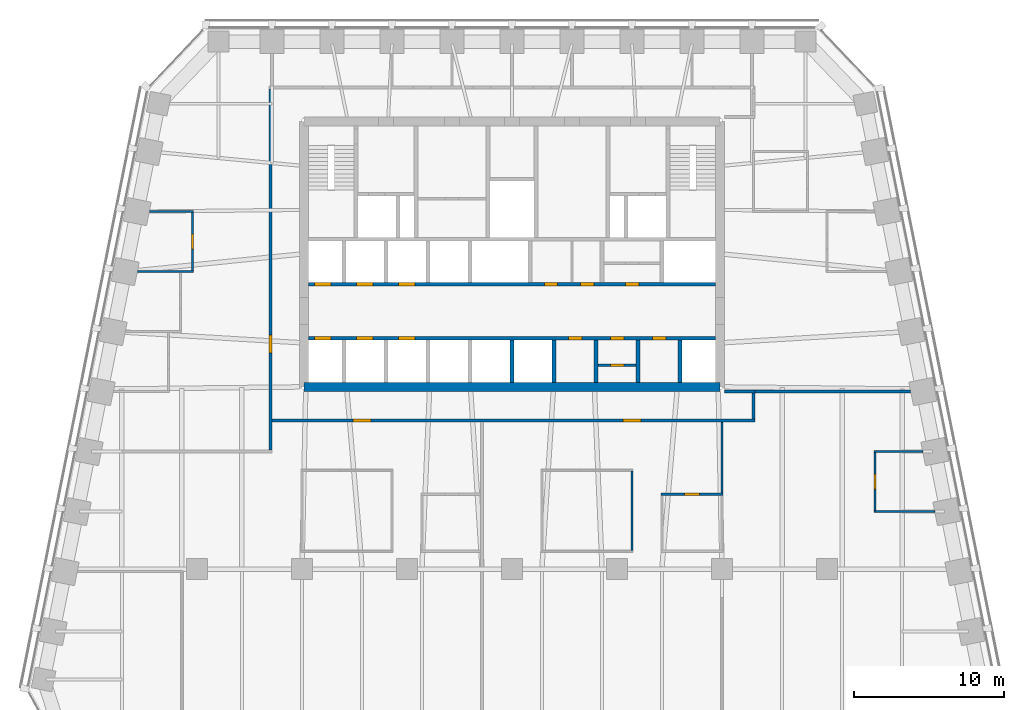
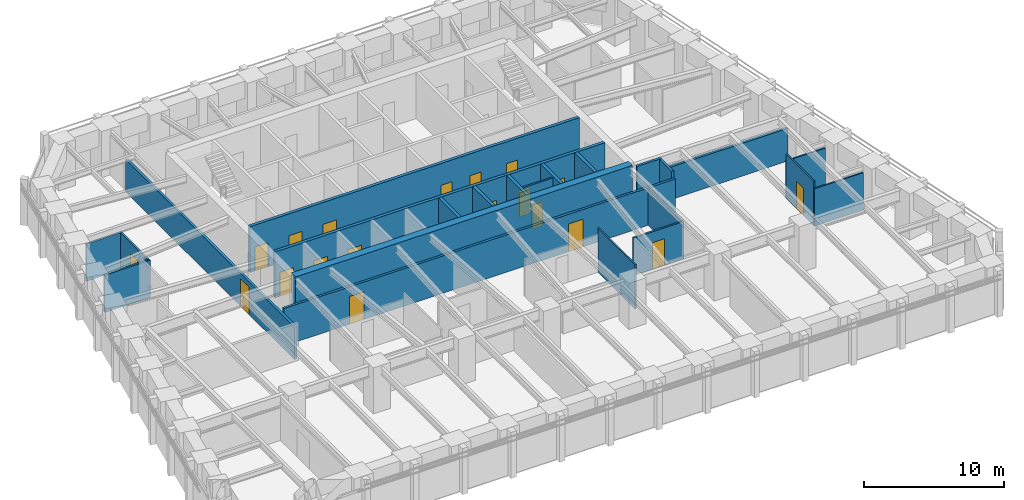
# One storey, part 6 of 10: 23 walls, 19 doors, 19 openings.
"""IFC4 building model written with IfcOpenShell, lengths in metres."""

from ifc_helpers import new_model, si_unit, direction, frame, frame_2d, origin, place, context, subcontext, project, spatial, rectangle, extrude, material, layer, layer_set, type_object, element, fill, save


model = new_model("IFC4")

# Units and contexts
model_context = context("Model", 3, precision=1e-05, world=origin(), true_north=direction((0.0, 1.0)))
body_context = subcontext(model_context, "Body", "Model", "MODEL_VIEW")
ifc_project = project(units=[si_unit("LENGTHUNIT", "METRE"), si_unit("AREAUNIT", "SQUARE_METRE"), si_unit("VOLUMEUNIT", "CUBIC_METRE"), si_unit("PLANEANGLEUNIT", "RADIAN"), si_unit("MASSUNIT", "GRAM", prefix="KILO")], contexts=[model_context])

# Site, building, storey
site_placement = place(None, origin())
site = spatial("IfcSite", under=ifc_project, at=site_placement, CompositionType="ELEMENT")
building_placement = place(site_placement, origin())
building = spatial("IfcBuilding", under=site, at=building_placement, Name="Isbrekke Arena Tower", CompositionType="ELEMENT")
storey_placement = place(building_placement, frame((0.0, 0.0, 226.0)))
storey = spatial("IfcBuildingStorey", under=building, at=storey_placement, Name="L52", CompositionType="ELEMENT", Elevation=226.0)

# Wall
ifc_material_1 = material(Name="Concrete B55 (C55/67)", Category="concrete")
ifc_layer_1 = layer(ifc_material_1, 0.60009765625)
ifc_layer_set_1 = layer_set([ifc_layer_1], Name="CW4 CORE WALL 600")
wall_type_1 = type_object("IfcWallType", Name="CW4 CORE WALL 600", PredefinedType="SHEAR", material=ifc_layer_set_1)
wall_1_placement = place(storey_placement, frame((-13.85009765625, 6.14990234375, 0.0), z_axis=(0.0, 0.0, 1.0), x_axis=(1.0, 0.0, 0.0)))
element("IfcWall", 1, at=wall_1_placement, inside=storey, type_object=wall_type_1, Name="Core wall S L52", PredefinedType="SHEAR", context=body_context, shape_type="SweptSolid", body=[
    extrude(rectangle(XDim=27.7001953125, YDim=0.60009765625, at=frame_2d((13.85009765625, 0.0))), origin(), (0.0, 0.0, 1.0), 4.0),
])

# Wall, openings, doors
ifc_material_2 = material(Name="Concrete B45 (C45/55)", Category="concrete")
ifc_layer_2 = layer(ifc_material_2, 0.25)
ifc_layer_set_2 = layer_set([ifc_layer_2], Name="CW6 SHAFT WALL 250")
wall_type_2 = type_object("IfcWallType", Name="CW6 SHAFT WALL 250", PredefinedType="SHEAR", material=ifc_layer_set_2)
wall_2_placement = place(storey_placement, frame((-13.550048828125, 9.39990234375, 0.0), z_axis=(0.0, 0.0, 1.0), x_axis=(1.0, 0.0, 0.0)))
wall_2 = element("IfcWall", 2, at=wall_2_placement, inside=storey, type_object=wall_type_2, Name="Core wall LS L52", PredefinedType="SHEAR", context=body_context, shape_type="SweptSolid", body=[
    extrude(rectangle(XDim=27.10009765625, YDim=0.25, at=frame_2d((13.550048828125, 0.0))), origin(), (0.0, 0.0, 1.0), 4.0),
])
opening_1_placement = place(wall_2_placement, frame((0.39990234375, 0.0, 0.0)))
opening_1 = element("IfcOpeningElement", 3, at=opening_1_placement, cuts=wall_2, Name="Opening LD1", PredefinedType="OPENING", context=body_context, shape_type="SweptSolid", body=[
    extrude(rectangle(XDim=1.10009765625, YDim=2.10009765625, at=frame_2d((0.550048828125, 1.050048828125))), frame((0.0, 0.139892578125, 0.0), z_axis=(0.0, -1.0, 0.0), x_axis=(1.0, 0.0, 0.0)), (0.0, 0.0, 1.0), 0.27978515625),
])
opening_2_placement = place(wall_2_placement, frame((3.199951171875, 0.0, 0.0)))
opening_2 = element("IfcOpeningElement", 4, at=opening_2_placement, cuts=wall_2, Name="Opening LD1", PredefinedType="OPENING", context=body_context, shape_type="SweptSolid", body=[
    extrude(rectangle(XDim=1.10009765625, YDim=2.10009765625, at=frame_2d((0.550048828125, 1.050048828125))), frame((0.0, 0.139892578125, 0.0), z_axis=(0.0, -1.0, 0.0), x_axis=(1.0, 0.0, 0.0)), (0.0, 0.0, 1.0), 0.27978515625),
])
opening_3_placement = place(wall_2_placement, frame((6.0, 0.0, 0.0)))
opening_3 = element("IfcOpeningElement", 5, at=opening_3_placement, cuts=wall_2, Name="Opening LD1", PredefinedType="OPENING", context=body_context, shape_type="SweptSolid", body=[
    extrude(rectangle(XDim=1.10009765625, YDim=2.10009765625, at=frame_2d((0.550048828125, 1.050048828125))), frame((0.0, 0.139892578125, 0.0), z_axis=(0.0, -1.0, 0.0), x_axis=(1.0, 0.0, 0.0)), (0.0, 0.0, 1.0), 0.27978515625),
])
opening_4_placement = place(wall_2_placement, frame((17.300048828125, 0.0, 0.0)))
opening_4 = element("IfcOpeningElement", 6, at=opening_4_placement, cuts=wall_2, Name="Opening D5", PredefinedType="OPENING", context=body_context, shape_type="SweptSolid", body=[
    extrude(rectangle(XDim=0.89990234375, YDim=2.10009765625, at=frame_2d((0.449951171875, 1.050048828125))), frame((0.0, 0.139892578125, 0.0), z_axis=(0.0, -1.0, 0.0), x_axis=(1.0, 0.0, 0.0)), (0.0, 0.0, 1.0), 0.27978515625),
])
opening_5_placement = place(wall_2_placement, frame((20.10009765625, 0.0, 0.0)))
opening_5 = element("IfcOpeningElement", 7, at=opening_5_placement, cuts=wall_2, Name="Opening D5", PredefinedType="OPENING", context=body_context, shape_type="SweptSolid", body=[
    extrude(rectangle(XDim=0.89990234375, YDim=2.10009765625, at=frame_2d((0.449951171875, 1.050048828125))), frame((0.0, 0.139892578125, 0.0), z_axis=(0.0, -1.0, 0.0), x_axis=(1.0, 0.0, 0.0)), (0.0, 0.0, 1.0), 0.27978515625),
])
opening_6_placement = place(wall_2_placement, frame((22.89990234375, 0.0, 0.0)))
opening_6 = element("IfcOpeningElement", 8, at=opening_6_placement, cuts=wall_2, Name="Opening D5", PredefinedType="OPENING", context=body_context, shape_type="SweptSolid", body=[
    extrude(rectangle(XDim=0.89990234375, YDim=2.10009765625, at=frame_2d((0.449951171875, 1.050048828125))), frame((0.0, 0.139892578125, 0.0), z_axis=(0.0, -1.0, 0.0), x_axis=(1.0, 0.0, 0.0)), (0.0, 0.0, 1.0), 0.27978515625),
])
ifc_material_3 = material(Name="Steel fire door", Category="steel")
door_type_1 = type_object("IfcDoorType", Name="D5 SERVICE DOOR 900 x 2100", OperationType="SINGLE_SWING_LEFT", PredefinedType="DOOR", material=ifc_material_3)
door_1_placement = place(opening_4_placement, origin())
door_1 = element("IfcDoor", 9, at=door_1_placement, inside=storey, type_object=door_type_1, Name="D5 tenant store door L52", OperationType="SINGLE_SWING_LEFT", OverallHeight=2.10009765625, OverallWidth=0.89990234375, PredefinedType="DOOR", context=body_context, shape_type="SweptSolid", body=[
    extrude(rectangle(XDim=0.89990234375, YDim=2.10009765625, at=frame_2d((0.449951171875, 1.050048828125))), frame((0.0, 0.124755859375, 0.0), z_axis=(0.0, -1.0, 0.0), x_axis=(1.0, 0.0, 0.0)), (0.0, 0.0, 1.0), 0.24951171875),
])
fill(opening_4, door_1)
door_2_placement = place(opening_5_placement, origin())
door_2 = element("IfcDoor", 10, at=door_2_placement, inside=storey, type_object=door_type_1, Name="D5 pantry door L52", OperationType="SINGLE_SWING_LEFT", OverallHeight=2.10009765625, OverallWidth=0.89990234375, PredefinedType="DOOR", context=body_context, shape_type="SweptSolid", body=[
    extrude(rectangle(XDim=0.89990234375, YDim=2.10009765625, at=frame_2d((0.449951171875, 1.050048828125))), frame((0.0, 0.124755859375, 0.0), z_axis=(0.0, -1.0, 0.0), x_axis=(1.0, 0.0, 0.0)), (0.0, 0.0, 1.0), 0.24951171875),
])
fill(opening_5, door_2)
door_3_placement = place(opening_6_placement, origin())
door_3 = element("IfcDoor", 11, at=door_3_placement, inside=storey, type_object=door_type_1, Name="D5 print room door L52", OperationType="SINGLE_SWING_LEFT", OverallHeight=2.10009765625, OverallWidth=0.89990234375, PredefinedType="DOOR", context=body_context, shape_type="SweptSolid", body=[
    extrude(rectangle(XDim=0.89990234375, YDim=2.10009765625, at=frame_2d((0.449951171875, 1.050048828125))), frame((0.0, 0.124755859375, 0.0), z_axis=(0.0, -1.0, 0.0), x_axis=(1.0, 0.0, 0.0)), (0.0, 0.0, 1.0), 0.24951171875),
])
fill(opening_6, door_3)
ifc_material_4 = material(Name="Stainless steel lift landing door", Category="steel")
door_type_2 = type_object("IfcDoorType", Name="LD1 LIFT LANDING DOOR 1100 x 2100", OperationType="SLIDING_TO_LEFT", PredefinedType="DOOR", material=ifc_material_4)
door_4_placement = place(opening_1_placement, origin())
door_4 = element("IfcDoor", 12, at=door_4_placement, inside=storey, type_object=door_type_2, Name="LD1 lift landing door LC L52", OperationType="SLIDING_TO_LEFT", OverallHeight=2.10009765625, OverallWidth=1.10009765625, PredefinedType="DOOR", context=body_context, shape_type="SweptSolid", body=[
    extrude(rectangle(XDim=1.10009765625, YDim=2.10009765625, at=frame_2d((0.550048828125, 1.050048828125))), frame((0.0, 0.124755859375, 0.0), z_axis=(0.0, -1.0, 0.0), x_axis=(1.0, 0.0, 0.0)), (0.0, 0.0, 1.0), 0.24951171875),
])
fill(opening_1, door_4)
door_5_placement = place(opening_2_placement, origin())
door_5 = element("IfcDoor", 13, at=door_5_placement, inside=storey, type_object=door_type_2, Name="LD1 lift landing door LC L52", OperationType="SLIDING_TO_LEFT", OverallHeight=2.10009765625, OverallWidth=1.10009765625, PredefinedType="DOOR", context=body_context, shape_type="SweptSolid", body=[
    extrude(rectangle(XDim=1.10009765625, YDim=2.10009765625, at=frame_2d((0.550048828125, 1.050048828125))), frame((0.0, 0.124755859375, 0.0), z_axis=(0.0, -1.0, 0.0), x_axis=(1.0, 0.0, 0.0)), (0.0, 0.0, 1.0), 0.24951171875),
])
fill(opening_2, door_5)
door_6_placement = place(opening_3_placement, origin())
door_6 = element("IfcDoor", 14, at=door_6_placement, inside=storey, type_object=door_type_2, Name="LD1 lift landing door LC L52", OperationType="SLIDING_TO_LEFT", OverallHeight=2.10009765625, OverallWidth=1.10009765625, PredefinedType="DOOR", context=body_context, shape_type="SweptSolid", body=[
    extrude(rectangle(XDim=1.10009765625, YDim=2.10009765625, at=frame_2d((0.550048828125, 1.050048828125))), frame((0.0, 0.124755859375, 0.0), z_axis=(0.0, -1.0, 0.0), x_axis=(1.0, 0.0, 0.0)), (0.0, 0.0, 1.0), 0.24951171875),
])
fill(opening_3, door_6)

wall_3_placement = place(storey_placement, frame((-13.550048828125, 13.0, 0.0), z_axis=(0.0, 0.0, 1.0), x_axis=(1.0, 0.0, 0.0)))
wall_3 = element("IfcWall", 15, at=wall_3_placement, inside=storey, type_object=wall_type_2, Name="Core wall LN L52", PredefinedType="SHEAR", context=body_context, shape_type="SweptSolid", body=[
    extrude(rectangle(XDim=27.10009765625, YDim=0.25, at=frame_2d((13.550048828125, 0.0))), origin(), (0.0, 0.0, 1.0), 4.0),
])
opening_7_placement = place(wall_3_placement, frame((0.39990234375, 0.0, 0.0)))
opening_7 = element("IfcOpeningElement", 16, at=opening_7_placement, cuts=wall_3, Name="Opening LD1", PredefinedType="OPENING", context=body_context, shape_type="SweptSolid", body=[
    extrude(rectangle(XDim=1.10009765625, YDim=2.10009765625, at=frame_2d((0.550048828125, 1.050048828125))), frame((0.0, 0.139892578125, 0.0), z_axis=(0.0, -1.0, 0.0), x_axis=(1.0, 0.0, 0.0)), (0.0, 0.0, 1.0), 0.27978515625),
])
opening_8_placement = place(wall_3_placement, frame((3.199951171875, 0.0, 0.0)))
opening_8 = element("IfcOpeningElement", 17, at=opening_8_placement, cuts=wall_3, Name="Opening LD1", PredefinedType="OPENING", context=body_context, shape_type="SweptSolid", body=[
    extrude(rectangle(XDim=1.10009765625, YDim=2.10009765625, at=frame_2d((0.550048828125, 1.050048828125))), frame((0.0, 0.139892578125, 0.0), z_axis=(0.0, -1.0, 0.0), x_axis=(1.0, 0.0, 0.0)), (0.0, 0.0, 1.0), 0.27978515625),
])
opening_9_placement = place(wall_3_placement, frame((6.0, 0.0, 0.0)))
opening_9 = element("IfcOpeningElement", 18, at=opening_9_placement, cuts=wall_3, Name="Opening LD1", PredefinedType="OPENING", context=body_context, shape_type="SweptSolid", body=[
    extrude(rectangle(XDim=1.10009765625, YDim=2.10009765625, at=frame_2d((0.550048828125, 1.050048828125))), frame((0.0, 0.139892578125, 0.0), z_axis=(0.0, -1.0, 0.0), x_axis=(1.0, 0.0, 0.0)), (0.0, 0.0, 1.0), 0.27978515625),
])
opening_10_placement = place(wall_3_placement, frame((15.699951171875, 0.0, 0.0)))
opening_10 = element("IfcOpeningElement", 19, at=opening_10_placement, cuts=wall_3, Name="Opening D5", PredefinedType="OPENING", context=body_context, shape_type="SweptSolid", body=[
    extrude(rectangle(XDim=0.89990234375, YDim=2.10009765625, at=frame_2d((0.449951171875, 1.050048828125))), frame((0.0, 0.139892578125, 0.0), z_axis=(0.0, -1.0, 0.0), x_axis=(1.0, 0.0, 0.0)), (0.0, 0.0, 1.0), 0.27978515625),
])
opening_11_placement = place(wall_3_placement, frame((18.10009765625, 0.0, 0.0)))
opening_11 = element("IfcOpeningElement", 20, at=opening_11_placement, cuts=wall_3, Name="Opening D5", PredefinedType="OPENING", context=body_context, shape_type="SweptSolid", body=[
    extrude(rectangle(XDim=0.89990234375, YDim=2.10009765625, at=frame_2d((0.449951171875, 1.050048828125))), frame((0.0, 0.139892578125, 0.0), z_axis=(0.0, -1.0, 0.0), x_axis=(1.0, 0.0, 0.0)), (0.0, 0.0, 1.0), 0.27978515625),
])
opening_12_placement = place(wall_3_placement, frame((21.10009765625, 0.0, 0.0)))
opening_12 = element("IfcOpeningElement", 21, at=opening_12_placement, cuts=wall_3, Name="Opening D5", PredefinedType="OPENING", context=body_context, shape_type="SweptSolid", body=[
    extrude(rectangle(XDim=0.89990234375, YDim=2.10009765625, at=frame_2d((0.449951171875, 1.050048828125))), frame((0.0, 0.139892578125, 0.0), z_axis=(0.0, -1.0, 0.0), x_axis=(1.0, 0.0, 0.0)), (0.0, 0.0, 1.0), 0.27978515625),
])
door_7_placement = place(opening_10_placement, origin())
door_7 = element("IfcDoor", 22, at=door_7_placement, inside=storey, type_object=door_type_1, Name="D5 mothers' room door L52", OperationType="SINGLE_SWING_LEFT", OverallHeight=2.10009765625, OverallWidth=0.89990234375, PredefinedType="DOOR", context=body_context, shape_type="SweptSolid", body=[
    extrude(rectangle(XDim=0.89990234375, YDim=2.10009765625, at=frame_2d((0.449951171875, 1.050048828125))), frame((0.0, 0.124755859375, 0.0), z_axis=(0.0, -1.0, 0.0), x_axis=(1.0, 0.0, 0.0)), (0.0, 0.0, 1.0), 0.24951171875),
])
fill(opening_10, door_7)
door_8_placement = place(opening_11_placement, origin())
door_8 = element("IfcDoor", 23, at=door_8_placement, inside=storey, type_object=door_type_1, Name="D5 cleaner's store door L52", OperationType="SINGLE_SWING_LEFT", OverallHeight=2.10009765625, OverallWidth=0.89990234375, PredefinedType="DOOR", context=body_context, shape_type="SweptSolid", body=[
    extrude(rectangle(XDim=0.89990234375, YDim=2.10009765625, at=frame_2d((0.449951171875, 1.050048828125))), frame((0.0, 0.124755859375, 0.0), z_axis=(0.0, -1.0, 0.0), x_axis=(1.0, 0.0, 0.0)), (0.0, 0.0, 1.0), 0.24951171875),
])
fill(opening_11, door_8)
door_9_placement = place(opening_12_placement, origin())
door_9 = element("IfcDoor", 24, at=door_9_placement, inside=storey, type_object=door_type_1, Name="D5 communications room door L52", OperationType="SINGLE_SWING_LEFT", OverallHeight=2.10009765625, OverallWidth=0.89990234375, PredefinedType="DOOR", context=body_context, shape_type="SweptSolid", body=[
    extrude(rectangle(XDim=0.89990234375, YDim=2.10009765625, at=frame_2d((0.449951171875, 1.050048828125))), frame((0.0, 0.124755859375, 0.0), z_axis=(0.0, -1.0, 0.0), x_axis=(1.0, 0.0, 0.0)), (0.0, 0.0, 1.0), 0.24951171875),
])
fill(opening_12, door_9)
door_10_placement = place(opening_7_placement, origin())
door_10 = element("IfcDoor", 25, at=door_10_placement, inside=storey, type_object=door_type_2, Name="LD1 lift landing door LC L52", OperationType="SLIDING_TO_LEFT", OverallHeight=2.10009765625, OverallWidth=1.10009765625, PredefinedType="DOOR", context=body_context, shape_type="SweptSolid", body=[
    extrude(rectangle(XDim=1.10009765625, YDim=2.10009765625, at=frame_2d((0.550048828125, 1.050048828125))), frame((0.0, 0.124755859375, 0.0), z_axis=(0.0, -1.0, 0.0), x_axis=(1.0, 0.0, 0.0)), (0.0, 0.0, 1.0), 0.24951171875),
])
fill(opening_7, door_10)
door_11_placement = place(opening_8_placement, origin())
door_11 = element("IfcDoor", 26, at=door_11_placement, inside=storey, type_object=door_type_2, Name="LD1 lift landing door LC L52", OperationType="SLIDING_TO_LEFT", OverallHeight=2.10009765625, OverallWidth=1.10009765625, PredefinedType="DOOR", context=body_context, shape_type="SweptSolid", body=[
    extrude(rectangle(XDim=1.10009765625, YDim=2.10009765625, at=frame_2d((0.550048828125, 1.050048828125))), frame((0.0, 0.124755859375, 0.0), z_axis=(0.0, -1.0, 0.0), x_axis=(1.0, 0.0, 0.0)), (0.0, 0.0, 1.0), 0.24951171875),
])
fill(opening_8, door_11)
door_12_placement = place(opening_9_placement, origin())
door_12 = element("IfcDoor", 27, at=door_12_placement, inside=storey, type_object=door_type_2, Name="LD1 lift landing door LC L52", OperationType="SLIDING_TO_LEFT", OverallHeight=2.10009765625, OverallWidth=1.10009765625, PredefinedType="DOOR", context=body_context, shape_type="SweptSolid", body=[
    extrude(rectangle(XDim=1.10009765625, YDim=2.10009765625, at=frame_2d((0.550048828125, 1.050048828125))), frame((0.0, 0.124755859375, 0.0), z_axis=(0.0, -1.0, 0.0), x_axis=(1.0, 0.0, 0.0)), (0.0, 0.0, 1.0), 0.24951171875),
])
fill(opening_9, door_12)

# Walls
for number, where, z_axis, x_axis, name in (
    (28, (0.0, 6.449951171875, 0.0), (0.0, 0.0, 1.0), (0.0, 1.0, 0.0), "Core wall SS05 L52"),
    (29, (2.800048828125, 6.449951171875, 0.0), (0.0, 0.0, 1.0), (0.0, 1.0, 0.0), "Core wall SS06 L52"),
    (30, (5.60009765625, 6.449951171875, 0.0), (0.0, 0.0, 1.0), (0.0, 1.0, 0.0), "Core wall SS07 L52"),
    (31, (8.39990234375, 6.449951171875, 0.0), (0.0, 0.0, 1.0), (0.0, 1.0, 0.0), "Core wall SS08 L52"),
    (32, (11.199951171875, 6.449951171875, 0.0), (0.0, 0.0, 1.0), (0.0, 1.0, 0.0), "Core wall SS09 L52"),
):
    element("IfcWall", number, at=place(storey_placement, frame(where, z_axis=z_axis, x_axis=x_axis)), inside=storey, type_object=wall_type_2, Name=name, PredefinedType="SHEAR", context=body_context, shape_type="SweptSolid", body=[
        extrude(rectangle(XDim=2.824951171875, YDim=0.25, at=frame_2d((1.41259765625, 0.0))), origin(), (0.0, 0.0, 1.0), 4.0),
    ])

# Wall, opening, door
ifc_material_5 = material(Name="Gypsum board partition on steel studs", Category="steel")
ifc_layer_3 = layer(ifc_material_5, 0.14990234375)
ifc_layer_set_3 = layer_set([ifc_layer_3], Name="IW1 PARTITION 150")
wall_type_3 = type_object("IfcWallType", Name="IW1 PARTITION 150", PredefinedType="PARTITIONING", material=ifc_layer_set_3)
wall_4_placement = place(storey_placement, frame((9.925048828125, -1.0, 0.0), z_axis=(0.0, 0.0, 1.0), x_axis=(1.0, 0.0, 0.0)))
wall_4 = element("IfcWall", 33, at=wall_4_placement, inside=storey, type_object=wall_type_3, Name="IW1 partition 150 L52", PredefinedType="PARTITIONING", context=body_context, shape_type="SweptSolid", body=[
    extrude(rectangle(XDim=4.14990234375, YDim=0.14990234375, at=frame_2d((2.074951171875, 0.0))), origin(), (0.0, 0.0, 1.0), 3.25),
])
opening_13_placement = place(wall_4_placement, frame((1.574951171875, 0.0, 0.0)))
opening_13 = element("IfcOpeningElement", 34, at=opening_13_placement, cuts=wall_4, Name="Opening D10", PredefinedType="OPENING", context=body_context, shape_type="SweptSolid", body=[
    extrude(rectangle(XDim=1.0, YDim=2.300048828125, at=frame_2d((0.5, 1.14990234375))), frame((0.0, 0.08984375, 0.0), z_axis=(0.0, -1.0, 0.0), x_axis=(1.0, 0.0, 0.0)), (0.0, 0.0, 1.0), 0.1796875),
])
ifc_material_6 = material(Name="Timber door", Category="wood")
door_type_3 = type_object("IfcDoorType", Name="D10 OFFICE DOOR 1000 x 2300", OperationType="SINGLE_SWING_LEFT", PredefinedType="DOOR", material=ifc_material_6)
door_13_placement = place(opening_13_placement, origin())
door_13 = element("IfcDoor", 35, at=door_13_placement, inside=storey, type_object=door_type_3, Name="D10 tea point door L52", OperationType="SINGLE_SWING_LEFT", OverallHeight=2.300048828125, OverallWidth=1.0, PredefinedType="DOOR", context=body_context, shape_type="SweptSolid", body=[
    extrude(rectangle(XDim=1.0, YDim=2.300048828125, at=frame_2d((0.5, 1.14990234375))), frame((0.0, 0.07470703125, 0.0), z_axis=(0.0, -1.0, 0.0), x_axis=(1.0, 0.0, 0.0)), (0.0, 0.0, 1.0), 0.1494140625),
])
fill(opening_13, door_13)

# Walls
wall_5_placement = place(storey_placement, frame((-24.974853515625, 13.840087890625, 0.0), z_axis=(0.0, 0.0, 1.0), x_axis=(1.0, 0.0, 0.0)))
element("IfcWall", 36, at=wall_5_placement, inside=storey, type_object=wall_type_3, Name="IW1 partition 150 L52", PredefinedType="PARTITIONING", context=body_context, shape_type="SweptSolid", body=[
    extrude(rectangle(XDim=3.749755859375, YDim=0.14990234375, at=frame_2d((1.875, 0.0))), origin(), (0.0, 0.0, 1.0), 3.25),
])
wall_6_placement = place(storey_placement, frame((-24.1748046875, 17.840087890625, 0.0), z_axis=(0.0, 0.0, 1.0), x_axis=(1.0, 0.0, 0.0)))
element("IfcWall", 37, at=wall_6_placement, inside=storey, type_object=wall_type_3, Name="IW1 partition 150 L52", PredefinedType="PARTITIONING", context=body_context, shape_type="SweptSolid", body=[
    extrude(rectangle(XDim=2.94970703125, YDim=0.14990234375, at=frame_2d((1.474853515625, 0.0))), origin(), (0.0, 0.0, 1.0), 3.25),
])

# Wall, opening, door
wall_7_placement = place(storey_placement, frame((-21.300048828125, 13.9150390625, 0.0), z_axis=(0.0, 0.0, 1.0), x_axis=(0.0, 1.0, 0.0)))
wall_7 = element("IfcWall", 38, at=wall_7_placement, inside=storey, type_object=wall_type_3, Name="IW1 partition 150 L52", PredefinedType="PARTITIONING", context=body_context, shape_type="SweptSolid", body=[
    extrude(rectangle(XDim=3.849853515625, YDim=0.14990234375, at=frame_2d((1.9248046875, 0.0))), origin(), (0.0, 0.0, 1.0), 3.25),
])
opening_14_placement = place(wall_7_placement, frame((1.425048828125, 0.0, 0.0)))
opening_14 = element("IfcOpeningElement", 39, at=opening_14_placement, cuts=wall_7, Name="Opening D10", PredefinedType="OPENING", context=body_context, shape_type="SweptSolid", body=[
    extrude(rectangle(XDim=1.0, YDim=2.300048828125, at=frame_2d((0.5, 1.14990234375))), frame((0.0, 0.08984375, 0.0), z_axis=(0.0, -1.0, 0.0), x_axis=(1.0, 0.0, 0.0)), (0.0, 0.0, 1.0), 0.1796875),
])
door_14_placement = place(opening_14_placement, origin())
door_14 = element("IfcDoor", 40, at=door_14_placement, inside=storey, type_object=door_type_3, Name="D10 office door L52", OperationType="SINGLE_SWING_LEFT", OverallHeight=2.300048828125, OverallWidth=1.0, PredefinedType="DOOR", context=body_context, shape_type="SweptSolid", body=[
    extrude(rectangle(XDim=1.0, YDim=2.300048828125, at=frame_2d((0.5, 1.14990234375))), frame((0.0, 0.07470703125, 0.0), z_axis=(0.0, -1.0, 0.0), x_axis=(1.0, 0.0, 0.0)), (0.0, 0.0, 1.0), 0.1494140625),
])
fill(opening_14, door_14)

# Walls
ifc_material_7 = material(Name="Frameless glazed partition, laminated acoustic glass", Category="glass")
ifc_layer_4 = layer(ifc_material_7, 0.1201171875)
ifc_layer_set_4 = layer_set([ifc_layer_4], Name="IW2 GLAZED PARTITION 120")
wall_type_4 = type_object("IfcWallType", Name="IW2 GLAZED PARTITION 120", PredefinedType="PARTITIONING", material=ifc_layer_set_4)
wall_8_placement = place(storey_placement, frame((24.139892578125, -2.159912109375, 0.0), z_axis=(0.0, 0.0, 1.0), x_axis=(1.0, 0.0, 0.0)))
element("IfcWall", 41, at=wall_8_placement, inside=storey, type_object=wall_type_4, Name="IW2 glazed partition 120 L52", PredefinedType="PARTITIONING", context=body_context, shape_type="SweptSolid", body=[
    extrude(rectangle(XDim=4.034912109375, YDim=0.1201171875, at=frame_2d((2.017578125, 0.0))), origin(), (0.0, 0.0, 1.0), 3.25),
])
wall_9_placement = place(storey_placement, frame((24.139892578125, 1.840087890625, 0.0), z_axis=(0.0, 0.0, 1.0), x_axis=(1.0, 0.0, 0.0)))
element("IfcWall", 42, at=wall_9_placement, inside=storey, type_object=wall_type_4, Name="IW2 glazed partition 120 L52", PredefinedType="PARTITIONING", context=body_context, shape_type="SweptSolid", body=[
    extrude(rectangle(XDim=3.23486328125, YDim=0.1201171875, at=frame_2d((1.617431640625, 0.0))), origin(), (0.0, 0.0, 1.0), 3.25),
])
wall_10_placement = place(storey_placement, frame((8.0, -4.739990234375, 0.0), z_axis=(0.0, 0.0, 1.0), x_axis=(0.0, 1.0, 0.0)))
element("IfcWall", 43, at=wall_10_placement, inside=storey, type_object=wall_type_4, Name="IW2 glazed partition 120 L52", PredefinedType="PARTITIONING", context=body_context, shape_type="SweptSolid", body=[
    extrude(rectangle(XDim=5.280029296875, YDim=0.1201171875, at=frame_2d((2.64013671875, 0.0))), origin(), (0.0, 0.0, 1.0), 3.85009765625),
])

# Wall, opening, door
wall_11_placement = place(storey_placement, frame((24.199951171875, -2.10009765625, 0.0), z_axis=(0.0, 0.0, 1.0), x_axis=(0.0, 1.0, 0.0)))
wall_11 = element("IfcWall", 44, at=wall_11_placement, inside=storey, type_object=wall_type_4, Name="IW2 glazed partition 120 L52", PredefinedType="PARTITIONING", context=body_context, shape_type="SweptSolid", body=[
    extrude(rectangle(XDim=3.880126953125, YDim=0.1201171875, at=frame_2d((1.93994140625, 0.0))), origin(), (0.0, 0.0, 1.0), 3.85009765625),
])
opening_15_placement = place(wall_11_placement, frame((1.43994140625, 0.0, 0.0)))
opening_15 = element("IfcOpeningElement", 45, at=opening_15_placement, cuts=wall_11, Name="Opening D11", PredefinedType="OPENING", context=body_context, shape_type="SweptSolid", body=[
    extrude(rectangle(XDim=1.0, YDim=2.39990234375, at=frame_2d((0.5, 1.199951171875))), frame((0.0, 0.074951171875, 0.0), z_axis=(0.0, -1.0, 0.0), x_axis=(1.0, 0.0, 0.0)), (0.0, 0.0, 1.0), 0.14990234375),
])
ifc_material_8 = material(Name="Frameless glazed door", Category="glass")
door_type_4 = type_object("IfcDoorType", Name="D11 GLAZED MEETING ROOM DOOR 1000 x 2400", OperationType="SINGLE_SWING_RIGHT", PredefinedType="DOOR", material=ifc_material_8)
door_15_placement = place(opening_15_placement, origin())
door_15 = element("IfcDoor", 46, at=door_15_placement, inside=storey, type_object=door_type_4, Name="D11 meeting room door L52", OperationType="SINGLE_SWING_RIGHT", OverallHeight=2.39990234375, OverallWidth=1.0, PredefinedType="DOOR", context=body_context, shape_type="SweptSolid", body=[
    extrude(rectangle(XDim=1.0, YDim=2.39990234375, at=frame_2d((0.5, 1.199951171875))), frame((0.0, 0.059814453125, 0.0), z_axis=(0.0, -1.0, 0.0), x_axis=(1.0, 0.0, 0.0)), (0.0, 0.0, 1.0), 0.11962890625),
])
fill(opening_15, door_15)

# Wall
wall_12_placement = place(storey_placement, frame((14.0, -0.905029296875, 0.0), z_axis=(0.0, 0.0, 1.0), x_axis=(0.0, 1.0, 0.0)))
element("IfcWall", 47, at=wall_12_placement, inside=storey, type_object=wall_type_4, Name="IW2 glazed partition 120 L52", PredefinedType="PARTITIONING", context=body_context, shape_type="SweptSolid", body=[
    extrude(rectangle(XDim=4.68505859375, YDim=0.1201171875, at=frame_2d((2.342529296875, 0.0))), origin(), (0.0, 0.0, 1.0), 3.25),
])

# Wall, openings, doors
ifc_material_9 = material(Name="Gypsum board fire-cell wall on steel studs, two layers each side", Category="steel")
ifc_layer_5 = layer(ifc_material_9, 0.199951171875)
ifc_layer_set_5 = layer_set([ifc_layer_5], Name="IW3 FIRE-CELL WALL 200")
wall_type_5 = type_object("IfcWallType", Name="IW3 FIRE-CELL WALL 200", PredefinedType="PARTITIONING", material=ifc_layer_set_5)
wall_13_placement = place(storey_placement, frame((-16.0, 3.89990234375, 0.0), z_axis=(0.0, 0.0, 1.0), x_axis=(1.0, 0.0, 0.0)))
wall_13 = element("IfcWall", 48, at=wall_13_placement, inside=storey, type_object=wall_type_5, Name="IW3 fire-cell wall 200 L52", PredefinedType="PARTITIONING", context=body_context, shape_type="SweptSolid", body=[
    extrude(rectangle(XDim=32.199951171875, YDim=0.199951171875, at=frame_2d((16.10009765625, 0.0))), origin(), (0.0, 0.0, 1.0), 3.25),
])
opening_16_placement = place(wall_13_placement, frame((5.39990234375, 0.0, 0.0)))
opening_16 = element("IfcOpeningElement", 49, at=opening_16_placement, cuts=wall_13, Name="Opening D12", PredefinedType="OPENING", context=body_context, shape_type="SweptSolid", body=[
    extrude(rectangle(XDim=1.199951171875, YDim=2.39990234375, at=frame_2d((0.60009765625, 1.199951171875))), frame((0.0, 0.11474609375, 0.0), z_axis=(0.0, -1.0, 0.0), x_axis=(1.0, 0.0, 0.0)), (0.0, 0.0, 1.0), 0.229736328125),
])
opening_17_placement = place(wall_13_placement, frame((23.39990234375, 0.0, 0.0)))
opening_17 = element("IfcOpeningElement", 50, at=opening_17_placement, cuts=wall_13, Name="Opening D12", PredefinedType="OPENING", context=body_context, shape_type="SweptSolid", body=[
    extrude(rectangle(XDim=1.199951171875, YDim=2.39990234375, at=frame_2d((0.60009765625, 1.199951171875))), frame((0.0, 0.11474609375, 0.0), z_axis=(0.0, -1.0, 0.0), x_axis=(1.0, 0.0, 0.0)), (0.0, 0.0, 1.0), 0.229736328125),
])
ifc_material_10 = material(Name="Timber fire door with vision panel", Category="wood")
door_type_5 = type_object("IfcDoorType", Name="D12 SUITE ENTRANCE DOOR 1200 x 2400", OperationType="SINGLE_SWING_LEFT", PredefinedType="DOOR", material=ifc_material_10)
door_16_placement = place(opening_16_placement, origin())
door_16 = element("IfcDoor", 51, at=door_16_placement, inside=storey, type_object=door_type_5, Name="D12 suite entrance SW door L52", OperationType="SINGLE_SWING_LEFT", OverallHeight=2.39990234375, OverallWidth=1.199951171875, PredefinedType="DOOR", context=body_context, shape_type="SweptSolid", body=[
    extrude(rectangle(XDim=1.199951171875, YDim=2.39990234375, at=frame_2d((0.60009765625, 1.199951171875))), frame((0.0, 0.099609375, 0.0), z_axis=(0.0, -1.0, 0.0), x_axis=(1.0, 0.0, 0.0)), (0.0, 0.0, 1.0), 0.199462890625),
])
fill(opening_16, door_16)
door_17_placement = place(opening_17_placement, origin())
door_17 = element("IfcDoor", 52, at=door_17_placement, inside=storey, type_object=door_type_5, Name="D12 suite entrance SE door L52", OperationType="SINGLE_SWING_LEFT", OverallHeight=2.39990234375, OverallWidth=1.199951171875, PredefinedType="DOOR", context=body_context, shape_type="SweptSolid", body=[
    extrude(rectangle(XDim=1.199951171875, YDim=2.39990234375, at=frame_2d((0.60009765625, 1.199951171875))), frame((0.0, 0.099609375, 0.0), z_axis=(0.0, -1.0, 0.0), x_axis=(1.0, 0.0, 0.0)), (0.0, 0.0, 1.0), 0.199462890625),
])
fill(opening_17, door_17)

# Walls
wall_14_placement = place(storey_placement, frame((16.199951171875, 5.840087890625, 0.0), z_axis=(0.0, 0.0, 1.0), x_axis=(1.0, 0.0, 0.0)))
element("IfcWall", 53, at=wall_14_placement, inside=storey, type_object=wall_type_5, Name="IW3 fire-cell wall 200 L52", PredefinedType="PARTITIONING", context=body_context, shape_type="SweptSolid", body=[
    extrude(rectangle(XDim=10.374755859375, YDim=0.199951171875, at=frame_2d((5.1875, 0.0))), origin(), (0.0, 0.0, 1.0), 2.842041015625),
])
wall_15_placement = place(storey_placement, frame((14.179931640625, 5.85009765625, 0.0), z_axis=(0.0, 0.0, 1.0), x_axis=(1.0, 0.0, 0.0)))
element("IfcWall", 54, at=wall_15_placement, inside=storey, type_object=wall_type_5, Name="IW3 fire-cell wall 200 L52", PredefinedType="PARTITIONING", context=body_context, shape_type="SweptSolid", body=[
    extrude(rectangle(XDim=2.02001953125, YDim=0.199951171875, at=frame_2d((1.010009765625, 0.0))), origin(), (0.0, 0.0, 1.0), 3.85009765625),
])

# Wall, opening, door
wall_16_placement = place(storey_placement, frame((-16.10009765625, 1.93994140625, 0.0), z_axis=(0.0, 0.0, 1.0), x_axis=(0.0, 1.0, 0.0)))
wall_16 = element("IfcWall", 55, at=wall_16_placement, inside=storey, type_object=wall_type_5, Name="IW3 fire-cell wall 200 L52", PredefinedType="PARTITIONING", context=body_context, shape_type="SweptSolid", body=[
    extrude(rectangle(XDim=24.06005859375, YDim=0.199951171875, at=frame_2d((12.030029296875, 0.0))), origin(), (0.0, 0.0, 1.0), 2.842041015625),
])
opening_18_placement = place(wall_16_placement, frame((6.4599609375, 0.0, 0.0)))
opening_18 = element("IfcOpeningElement", 56, at=opening_18_placement, cuts=wall_16, Name="Opening D12", PredefinedType="OPENING", context=body_context, shape_type="SweptSolid", body=[
    extrude(rectangle(XDim=1.199951171875, YDim=2.39990234375, at=frame_2d((0.60009765625, 1.199951171875))), frame((0.0, 0.11474609375, 0.0), z_axis=(0.0, -1.0, 0.0), x_axis=(1.0, 0.0, 0.0)), (0.0, 0.0, 1.0), 0.229736328125),
])
door_18_placement = place(opening_18_placement, origin())
door_18 = element("IfcDoor", 57, at=door_18_placement, inside=storey, type_object=door_type_5, Name="D12 suite entrance N door L52", OperationType="SINGLE_SWING_LEFT", OverallHeight=2.39990234375, OverallWidth=1.199951171875, PredefinedType="DOOR", context=body_context, shape_type="SweptSolid", body=[
    extrude(rectangle(XDim=1.199951171875, YDim=2.39990234375, at=frame_2d((0.60009765625, 1.199951171875))), frame((0.0, 0.099609375, 0.0), z_axis=(0.0, -1.0, 0.0), x_axis=(1.0, 0.0, 0.0)), (0.0, 0.0, 1.0), 0.199462890625),
])
fill(opening_18, door_18)

# Wall
wall_17_placement = place(storey_placement, frame((16.10009765625, 4.0, 0.0), z_axis=(0.0, 0.0, 1.0), x_axis=(0.0, 1.0, 0.0)))
element("IfcWall", 58, at=wall_17_placement, inside=storey, type_object=wall_type_5, Name="IW3 fire-cell wall 200 L52", PredefinedType="PARTITIONING", context=body_context, shape_type="SweptSolid", body=[
    extrude(rectangle(XDim=1.75, YDim=0.199951171875, at=frame_2d((0.875, 0.0))), origin(), (0.0, 0.0, 1.0), 3.85009765625),
])

# Wall, opening, door
ifc_material_11 = material(Name="Gypsum board fire-rated partition on steel studs, two layers each side", Category="steel")
ifc_layer_6 = layer(ifc_material_11, 0.14990234375)
ifc_layer_set_6 = layer_set([ifc_layer_6], Name="IW5 FIRE-RATED PARTITION 150")
wall_type_6 = type_object("IfcWallType", Name="IW5 FIRE-RATED PARTITION 150", PredefinedType="PARTITIONING", material=ifc_layer_set_6)
wall_18_placement = place(storey_placement, frame((5.72509765625, 7.60009765625, 0.0), z_axis=(0.0, 0.0, 1.0), x_axis=(1.0, 0.0, 0.0)))
wall_18 = element("IfcWall", 59, at=wall_18_placement, inside=storey, type_object=wall_type_6, Name="IW5 fire-rated partition L52 core service rooms 3", PredefinedType="PARTITIONING", context=body_context, shape_type="SweptSolid", body=[
    extrude(rectangle(XDim=2.5498046875, YDim=0.14990234375, at=frame_2d((1.27490234375, 0.0))), origin(), (0.0, 0.0, 1.0), 3.85009765625),
])
opening_19_placement = place(wall_18_placement, frame((0.824951171875, 0.0, 0.0)))
opening_19 = element("IfcOpeningElement", 60, at=opening_19_placement, cuts=wall_18, Name="Opening D5", PredefinedType="OPENING", context=body_context, shape_type="SweptSolid", body=[
    extrude(rectangle(XDim=0.89990234375, YDim=2.10009765625, at=frame_2d((0.449951171875, 1.050048828125))), frame((0.0, 0.08984375, 0.0), z_axis=(0.0, -1.0, 0.0), x_axis=(1.0, 0.0, 0.0)), (0.0, 0.0, 1.0), 0.1796875),
])
door_19_placement = place(opening_19_placement, origin())
door_19 = element("IfcDoor", 61, at=door_19_placement, inside=storey, type_object=door_type_1, Name="D5 archive door L52", OperationType="SINGLE_SWING_LEFT", OverallHeight=2.10009765625, OverallWidth=0.89990234375, PredefinedType="DOOR", context=body_context, shape_type="SweptSolid", body=[
    extrude(rectangle(XDim=0.89990234375, YDim=2.10009765625, at=frame_2d((0.449951171875, 1.050048828125))), frame((0.0, 0.07470703125, 0.0), z_axis=(0.0, -1.0, 0.0), x_axis=(1.0, 0.0, 0.0)), (0.0, 0.0, 1.0), 0.1494140625),
])
fill(opening_19, door_19)

save(model, "model.ifc")
